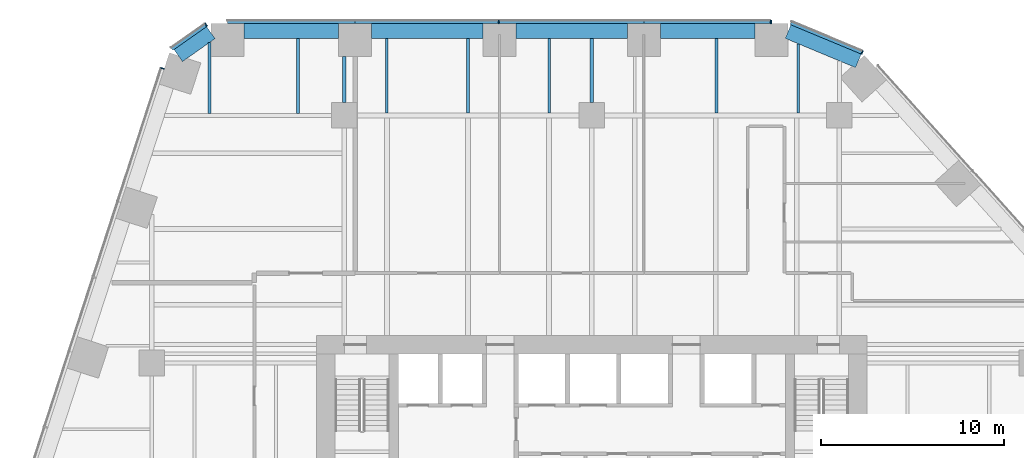
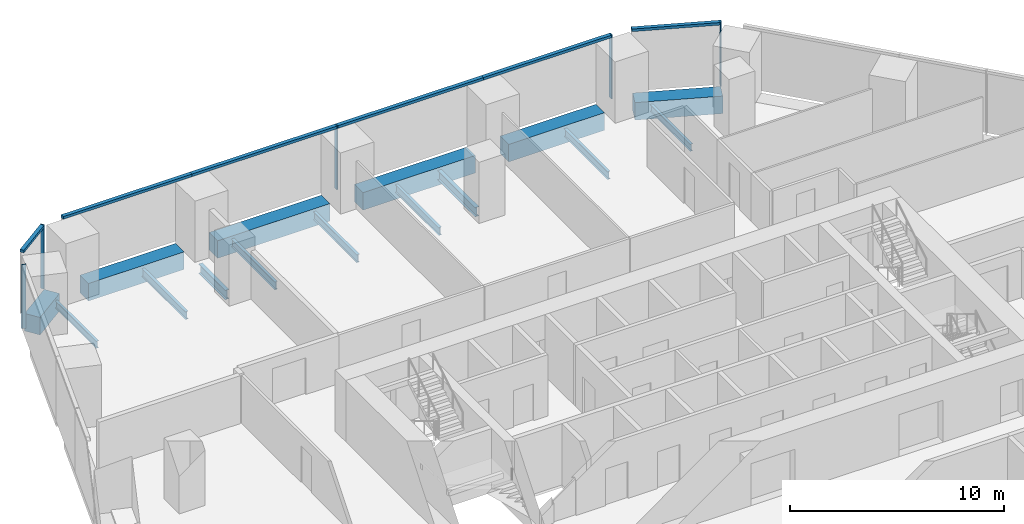
# One storey, part 12 of 20: 15 beams, 11 members, 4 elements without a shape of their own.
"""IFC4 building model written with IfcOpenShell, lengths in metres."""

from ifc_helpers import new_model, si_unit, direction, frame, origin, origin_2d, place, context, subcontext, project, spatial, rectangle, i_section, extrude, material, layer, layer_set, material_profile, profile_set, type_object, element, aggregate, save


model = new_model("IFC4")

# Units and contexts
model_context = context("Model", 3, precision=1e-05, world=origin(), true_north=direction((0.0, 1.0)))
body_context = subcontext(model_context, "Body", "Model", "MODEL_VIEW")
ifc_project = project(units=[si_unit("LENGTHUNIT", "METRE"), si_unit("AREAUNIT", "SQUARE_METRE"), si_unit("VOLUMEUNIT", "CUBIC_METRE"), si_unit("PLANEANGLEUNIT", "RADIAN"), si_unit("MASSUNIT", "GRAM", prefix="KILO")], contexts=[model_context])

# Site, building, storey
site_placement = place(None, origin())
site = spatial("IfcSite", under=ifc_project, at=site_placement, CompositionType="ELEMENT")
building_placement = place(site_placement, origin())
building = spatial("IfcBuilding", under=site, at=building_placement, Name="Isthmus Gate Tower", CompositionType="ELEMENT")
storey_placement = place(building_placement, frame((0.0, 0.0, 43.300048828125)))
storey = spatial("IfcBuildingStorey", under=building, at=storey_placement, Name="L08", CompositionType="ELEMENT", Elevation=43.300048828125)

# Curtain wall, members
ifc_material_1 = material(Name="Aluminium, pale champagne anodised", Category="aluminium")
ifc_layer = layer(ifc_material_1, 0.199951171875)
ifc_layer_set = layer_set([ifc_layer], Name="CW-1 UNITISED CURTAIN WALL 200 DEEP")
curtain_wall_type = type_object("IfcCurtainWallType", Name="CW-1 UNITISED CURTAIN WALL 200 DEEP", PredefinedType="NOTDEFINED", material=ifc_layer_set)
curtain_wall_1_placement = place(storey_placement, origin())
curtain_wall_1 = element("IfcCurtainWall", 1, at=curtain_wall_1_placement, inside=storey, type_object=curtain_wall_type, Name="CW-1 N L08", PredefinedType="NOTDEFINED")
ifc_material_2 = material(Name="Aluminium, pale champagne anodised", Category="aluminium")
ifc_material_profile_1 = material_profile(ifc_material_2, rectangle(XDim=0.06005859375, YDim=0.199951171875, at=origin_2d()), Name="60x200")
ifc_profile_set_1 = profile_set([ifc_material_profile_1], Name="Aluminium, pale champagne anodised")
member_type_1 = type_object("IfcMemberType", Name="CW-1 MULLION 60 X 200", PredefinedType="MULLION", material=ifc_profile_set_1)
member_1_placement = place(storey_placement, frame((9.77197265625, 32.10009765625, 0.0), z_axis=(0.0, 0.0, 1.0), x_axis=(-1.0, 0.0, 0.0)))
member_1 = element("IfcMember", 2, at=member_1_placement, type_object=member_type_1, Name="CW-1 mullion", PredefinedType="MULLION", context=body_context, shape_type="SweptSolid", body=[
    extrude(rectangle(XDim=0.06005859375, YDim=0.199951171875, at=origin_2d()), origin(), (0.0, 0.0, 1.0), 3.64990234375),
])
member_2_placement = place(storey_placement, frame((-5.067138671875, 32.10009765625, 0.0), z_axis=(0.0, 0.0, 1.0), x_axis=(-1.0, 0.0, 0.0)))
member_2 = element("IfcMember", 3, at=member_2_placement, type_object=member_type_1, Name="CW-1 mullion", PredefinedType="MULLION", context=body_context, shape_type="SweptSolid", body=[
    extrude(rectangle(XDim=0.06005859375, YDim=0.199951171875, at=origin_2d()), origin(), (0.0, 0.0, 1.0), 3.64990234375),
])

# Curtain wall, member
curtain_wall_2_placement = place(storey_placement, origin())
curtain_wall_2 = element("IfcCurtainWall", 4, at=curtain_wall_2_placement, inside=storey, type_object=curtain_wall_type, Name="CW-1 N-NW L08", PredefinedType="NOTDEFINED")
member_3_placement = place(storey_placement, frame((-21.031005859375, 31.943115234375, 0.0), z_axis=(0.0, 0.0, 1.0), x_axis=(-0.81785959165, -0.57541783805, 0.0)))
member_3 = element("IfcMember", 5, at=member_3_placement, type_object=member_type_1, Name="CW-1 mullion", PredefinedType="MULLION", context=body_context, shape_type="SweptSolid", body=[
    extrude(rectangle(XDim=0.06005859375, YDim=0.199951171875, at=origin_2d()), origin(), (0.0, 0.0, 1.0), 3.64990234375),
])

curtain_wall_3_placement = place(storey_placement, origin())
curtain_wall_3 = element("IfcCurtainWall", 6, at=curtain_wall_3_placement, inside=storey, type_object=curtain_wall_type, Name="CW-1 NW L08", PredefinedType="NOTDEFINED")
member_4_placement = place(storey_placement, frame((-23.41162109375, 29.561279296875, 0.0), z_axis=(0.0, 0.0, 1.0), x_axis=(-0.309016994375, -0.951056516295, 0.0)))
member_4 = element("IfcMember", 7, at=member_4_placement, type_object=member_type_1, Name="CW-1 mullion", PredefinedType="MULLION", context=body_context, shape_type="SweptSolid", body=[
    extrude(rectangle(XDim=0.06005859375, YDim=0.199951171875, at=origin_2d()), origin(), (0.0, 0.0, 1.0), 3.64990234375),
])
aggregate(curtain_wall_3, [member_4])

curtain_wall_4_placement = place(storey_placement, origin())
curtain_wall_4 = element("IfcCurtainWall", 8, at=curtain_wall_4_placement, inside=storey, type_object=curtain_wall_type, Name="CW-1 NE-N L08", PredefinedType="NOTDEFINED")
member_5_placement = place(storey_placement, frame((14.744140625, 30.427490234375, 0.0), z_axis=(0.0, 0.0, 1.0), x_axis=(-0.923353128387, 0.383951820282, 0.0)))
member_5 = element("IfcMember", 9, at=member_5_placement, type_object=member_type_1, Name="CW-1 mullion", PredefinedType="MULLION", context=body_context, shape_type="SweptSolid", body=[
    extrude(rectangle(XDim=0.06005859375, YDim=0.199951171875, at=origin_2d()), origin(), (0.0, 0.0, 1.0), 3.64990234375),
])

# Member
ifc_material_3 = material(Name="Aluminium, pale champagne anodised", Category="aluminium")
ifc_material_profile_2 = material_profile(ifc_material_3, rectangle(XDim=0.199951171875, YDim=0.14990234375, at=origin_2d()), Name="200x150")
ifc_profile_set_2 = profile_set([ifc_material_profile_2], Name="Aluminium, pale champagne anodised")
member_type_2 = type_object("IfcMemberType", Name="CW-1 TRANSOM 200 X 150", PredefinedType="USERDEFINED", material=ifc_profile_set_2)
member_6_placement = place(storey_placement, frame((9.741943359375, 32.10009765625, 3.574951171875), z_axis=(-1.0, 0.0, 0.0), x_axis=(0.0, -1.0, 0.0)))
member_6 = element("IfcMember", 10, at=member_6_placement, type_object=member_type_2, Name="CW-1 transom", ObjectType="TRANSOM", PredefinedType="USERDEFINED", context=body_context, shape_type="SweptSolid", body=[
    extrude(rectangle(XDim=0.199951171875, YDim=0.14990234375, at=origin_2d()), origin(), (0.0, 0.0, 1.0), 6.90966796875),
])

member_7_placement = place(storey_placement, frame((2.832275390625, 32.10009765625, 3.574951171875), z_axis=(-1.0, 0.0, 0.0), x_axis=(0.0, -1.0, 0.0)))
member_7 = element("IfcMember", 11, at=member_7_placement, type_object=member_type_2, Name="CW-1 transom", ObjectType="TRANSOM", PredefinedType="USERDEFINED", context=body_context, shape_type="SweptSolid", body=[
    extrude(rectangle(XDim=0.199951171875, YDim=0.14990234375, at=origin_2d()), origin(), (0.0, 0.0, 1.0), 7.869384765625),
])

member_8_placement = place(storey_placement, frame((-5.09716796875, 32.10009765625, 3.574951171875), z_axis=(-1.0, 0.0, 0.0), x_axis=(0.0, -1.0, 0.0)))
member_8 = element("IfcMember", 12, at=member_8_placement, type_object=member_type_2, Name="CW-1 transom", ObjectType="TRANSOM", PredefinedType="USERDEFINED", context=body_context, shape_type="SweptSolid", body=[
    extrude(rectangle(XDim=0.199951171875, YDim=0.14990234375, at=origin_2d()), origin(), (0.0, 0.0, 1.0), 7.8095703125),
])

member_9_placement = place(storey_placement, frame((-12.90673828125, 32.10009765625, 3.574951171875), z_axis=(-1.0, 0.0, 0.0), x_axis=(0.0, -1.0, 0.0)))
member_9 = element("IfcMember", 13, at=member_9_placement, type_object=member_type_2, Name="CW-1 transom", ObjectType="TRANSOM", PredefinedType="USERDEFINED", context=body_context, shape_type="SweptSolid", body=[
    extrude(rectangle(XDim=0.199951171875, YDim=0.14990234375, at=origin_2d()), origin(), (0.0, 0.0, 1.0), 6.969482421875),
])

aggregate(curtain_wall_1, [member_1, member_6, member_7, member_2, member_8, member_9])

member_10_placement = place(storey_placement, frame((-21.055419921875, 31.92578125, 3.574951171875), z_axis=(-0.817868595604, -0.575405040233, 0.0), x_axis=(0.575405040233, -0.817868595604, 0.0)))
member_10 = element("IfcMember", 14, at=member_10_placement, type_object=member_type_2, Name="CW-1 transom", ObjectType="TRANSOM", PredefinedType="USERDEFINED", context=body_context, shape_type="SweptSolid", body=[
    extrude(rectangle(XDim=0.199951171875, YDim=0.14990234375, at=origin_2d()), origin(), (0.0, 0.0, 1.0), 2.258544921875),
])

aggregate(curtain_wall_2, [member_3, member_10])

member_11_placement = place(storey_placement, frame((14.716552734375, 30.43896484375, 3.574951171875), z_axis=(-0.923358236369, 0.383939536033, 0.0), x_axis=(-0.383939536033, -0.923358236369, 0.0)))
member_11 = element("IfcMember", 15, at=member_11_placement, type_object=member_type_2, Name="CW-1 transom", ObjectType="TRANSOM", PredefinedType="USERDEFINED", context=body_context, shape_type="SweptSolid", body=[
    extrude(rectangle(XDim=0.199951171875, YDim=0.14990234375, at=origin_2d()), origin(), (0.0, 0.0, 1.0), 4.181640625),
])

aggregate(curtain_wall_4, [member_5, member_11])

# Beams
ifc_material_4 = material(Name="Concrete f'c 70 MPa", Category="concrete")
ifc_material_profile_3 = material_profile(ifc_material_4, rectangle(XDim=0.800048828125, YDim=1.0, at=origin_2d()), Name="RC 800X1000")
ifc_profile_set_3 = profile_set([ifc_material_profile_3], Name="Concrete f'c 70 MPa")
beam_type_1 = type_object("IfcBeamType", Name="RC SPANDREL 800 X 1000", PredefinedType="SPANDREL", material=ifc_profile_set_3)
beam_1_placement = place(storey_placement, frame((10.701904296875, 31.56689453125, -0.5), z_axis=(0.923334166719, -0.383997417399, 0.0), x_axis=(0.383997417399, 0.923334166719, 0.0)))
element("IfcBeam", 16, at=beam_1_placement, inside=storey, type_object=beam_type_1, Name="str-spandrel-L08-00", PredefinedType="SPANDREL", context=body_context, shape_type="SweptSolid", body=[
    extrude(rectangle(XDim=0.800048828125, YDim=1.0, at=origin_2d()), origin(), (0.0, 0.0, 1.0), 4.15234375),
])
beam_2_placement = place(storey_placement, frame((-22.553466796875, 30.260498046875, -0.5), z_axis=(0.817857331203, 0.575421050882, 0.0), x_axis=(-0.575421050882, 0.817857331203, 0.0)))
element("IfcBeam", 17, at=beam_2_placement, inside=storey, type_object=beam_type_1, Name="str-spandrel-L08-22", PredefinedType="SPANDREL", context=body_context, shape_type="SweptSolid", body=[
    extrude(rectangle(XDim=0.800048828125, YDim=1.0, at=origin_2d()), origin(), (0.0, 0.0, 1.0), 2.173095703125),
])
beam_3_placement = place(storey_placement, frame((-18.976318359375, 31.60009765625, -0.5), z_axis=(1.0, 0.0, 0.0), x_axis=(0.0, 1.0, 0.0)))
element("IfcBeam", 18, at=beam_3_placement, inside=storey, type_object=beam_type_1, Name="str-spandrel-L08-23", PredefinedType="SPANDREL", context=body_context, shape_type="SweptSolid", body=[
    extrude(rectangle(XDim=0.800048828125, YDim=1.0, at=origin_2d()), origin(), (0.0, 0.0, 1.0), 5.169677734375),
])
beam_4_placement = place(storey_placement, frame((-12.006591796875, 31.60009765625, -0.5), z_axis=(1.0, 0.0, 0.0), x_axis=(0.0, 1.0, 0.0)))
element("IfcBeam", 19, at=beam_4_placement, inside=storey, type_object=beam_type_1, Name="str-spandrel-L08-24", PredefinedType="SPANDREL", context=body_context, shape_type="SweptSolid", body=[
    extrude(rectangle(XDim=0.800048828125, YDim=1.0, at=origin_2d()), origin(), (0.0, 0.0, 1.0), 6.0693359375),
])
beam_5_placement = place(storey_placement, frame((-4.13720703125, 31.60009765625, -0.5), z_axis=(1.0, 0.0, 0.0), x_axis=(0.0, 1.0, 0.0)))
element("IfcBeam", 20, at=beam_5_placement, inside=storey, type_object=beam_type_1, Name="str-spandrel-L08-25", PredefinedType="SPANDREL", context=body_context, shape_type="SweptSolid", body=[
    extrude(rectangle(XDim=0.800048828125, YDim=1.0, at=origin_2d()), origin(), (0.0, 0.0, 1.0), 6.069580078125),
])
beam_6_placement = place(storey_placement, frame((3.732421875, 31.60009765625, -0.5), z_axis=(1.0, 0.0, 0.0), x_axis=(0.0, 1.0, 0.0)))
element("IfcBeam", 21, at=beam_6_placement, inside=storey, type_object=beam_type_1, Name="str-spandrel-L08-26", PredefinedType="SPANDREL", context=body_context, shape_type="SweptSolid", body=[
    extrude(rectangle(XDim=0.800048828125, YDim=1.0, at=origin_2d()), origin(), (0.0, 0.0, 1.0), 5.16943359375),
])
ifc_material_5 = material(Name="Structural steel ASTM A992 Gr 50", Category="steel")
ifc_material_profile_4 = material_profile(ifc_material_5, i_section(OverallWidth=0.1396484375, OverallDepth=0.4033203125, WebThickness=0.00634765625, FlangeThickness=0.010986328125, at=origin_2d()), Name="W16X31")
ifc_profile_set_4 = profile_set([ifc_material_profile_4], Name="Structural steel ASTM A992 Gr 50")
beam_type_2 = type_object("IfcBeamType", Name="STEEL FLOOR BEAM W16X31", PredefinedType="JOIST", material=ifc_profile_set_4)
beam_7_placement = place(storey_placement, frame((-20.846435546875, 27.1142578125, -0.3515625), z_axis=(0.0, 1.0, 0.0), x_axis=(-1.0, 0.0, 0.0)))
element("IfcBeam", 22, at=beam_7_placement, inside=storey, type_object=beam_type_2, Name="str-beam-L08-08-00", PredefinedType="JOIST", context=body_context, shape_type="SweptSolid", body=[
    extrude(i_section(OverallWidth=0.1396484375, OverallDepth=0.4033203125, WebThickness=0.00634765625, FlangeThickness=0.010986328125, at=origin_2d()), origin(), (0.0, 0.0, 1.0), 3.858154296875),
])
beam_8_placement = place(storey_placement, frame((11.267578125, 27.1318359375, -0.3515625), z_axis=(0.0, 1.0, 0.0), x_axis=(-1.0, 0.0, 0.0)))
element("IfcBeam", 23, at=beam_8_placement, inside=storey, type_object=beam_type_2, Name="str-beam-L08-19-02", PredefinedType="JOIST", context=body_context, shape_type="SweptSolid", body=[
    extrude(i_section(OverallWidth=0.1396484375, OverallDepth=0.4033203125, WebThickness=0.00634765625, FlangeThickness=0.010986328125, at=origin_2d()), origin(), (0.0, 0.0, 1.0), 3.7666015625),
])
ifc_material_6 = material(Name="Structural steel ASTM A992 Gr 50", Category="steel")
ifc_material_profile_5 = material_profile(ifc_material_6, i_section(OverallWidth=0.15234375, OverallDepth=0.45068359375, WebThickness=0.0078125, FlangeThickness=0.010986328125, at=origin_2d()), Name="W18X35")
ifc_profile_set_5 = profile_set([ifc_material_profile_5], Name="Structural steel ASTM A992 Gr 50")
beam_type_3 = type_object("IfcBeamType", Name="STEEL FLOOR BEAM W18X35", PredefinedType="JOIST", material=ifc_profile_set_5)
beam_9_placement = place(storey_placement, frame((-16.0185546875, 27.1142578125, -0.37548828125), z_axis=(0.0, 1.0, 0.0), x_axis=(-1.0, 0.0, 0.0)))
element("IfcBeam", 24, at=beam_9_placement, inside=storey, type_object=beam_type_3, Name="str-beam-L08-08-01", PredefinedType="JOIST", context=body_context, shape_type="SweptSolid", body=[
    extrude(i_section(OverallWidth=0.15234375, OverallDepth=0.45068359375, WebThickness=0.0078125, FlangeThickness=0.010986328125, at=origin_2d()), origin(), (0.0, 0.0, 1.0), 4.085693359375),
])
for number, where, z_axis, x_axis, name in (
    (25, (-11.18017578125, 27.1318359375, -0.37548828125), (0.0, 1.0, 0.0), (-1.0, 0.0, 0.0), "str-beam-L08-14-00"),
    (26, (-6.75, 27.1318359375, -0.37548828125), (0.0, 1.0, 0.0), (-1.0, 0.0, 0.0), "str-beam-L08-14-01"),
    (27, (-2.31982421875, 27.1318359375, -0.37548828125), (0.0, 1.0, 0.0), (-1.0, 0.0, 0.0), "str-beam-L08-14-02"),
    (28, (6.802490234375, 27.1318359375, -0.37548828125), (0.0, 1.0, 0.0), (-1.0, 0.0, 0.0), "str-beam-L08-19-01"),
):
    element("IfcBeam", number, at=place(storey_placement, frame(where, z_axis=z_axis, x_axis=x_axis)), inside=storey, type_object=beam_type_3, Name=name, PredefinedType="JOIST", context=body_context, shape_type="SweptSolid", body=[
        extrude(i_section(OverallWidth=0.15234375, OverallDepth=0.45068359375, WebThickness=0.0078125, FlangeThickness=0.010986328125, at=origin_2d()), origin(), (0.0, 0.0, 1.0), 4.068115234375),
    ])
ifc_material_7 = material(Name="Structural steel ASTM A992 Gr 50", Category="steel")
ifc_material_profile_6 = material_profile(ifc_material_7, i_section(OverallWidth=0.20947265625, OverallDepth=0.533447265625, WebThickness=0.009521484375, FlangeThickness=0.015869140625, at=origin_2d()), Name="W21X62")
ifc_profile_set_6 = profile_set([ifc_material_profile_6], Name="Structural steel ASTM A992 Gr 50")
beam_type_4 = type_object("IfcBeamType", Name="STEEL GIRDER W21X62", PredefinedType="BEAM", material=ifc_profile_set_6)
beam_10_placement = place(storey_placement, frame((-13.5, 27.699951171875, -0.416748046875), z_axis=(0.0, 1.0, 0.0), x_axis=(-1.0, 0.0, 0.0)))
element("IfcBeam", 29, at=beam_10_placement, inside=storey, type_object=beam_type_4, Name="str-girder-L08-27", PredefinedType="BEAM", context=body_context, shape_type="SweptSolid", body=[
    extrude(i_section(OverallWidth=0.20947265625, OverallDepth=0.533447265625, WebThickness=0.009521484375, FlangeThickness=0.015869140625, at=origin_2d()), origin(), (0.0, 0.0, 1.0), 2.5),
])
beam_11_placement = place(storey_placement, frame((0.0, 27.699951171875, -0.416748046875), z_axis=(0.0, 1.0, 0.0), x_axis=(-1.0, 0.0, 0.0)))
element("IfcBeam", 30, at=beam_11_placement, inside=storey, type_object=beam_type_4, Name="str-girder-L08-30", PredefinedType="BEAM", context=body_context, shape_type="SweptSolid", body=[
    extrude(i_section(OverallWidth=0.20947265625, OverallDepth=0.533447265625, WebThickness=0.009521484375, FlangeThickness=0.015869140625, at=origin_2d()), origin(), (0.0, 0.0, 1.0), 3.5),
])

save(model, "model.ifc")
